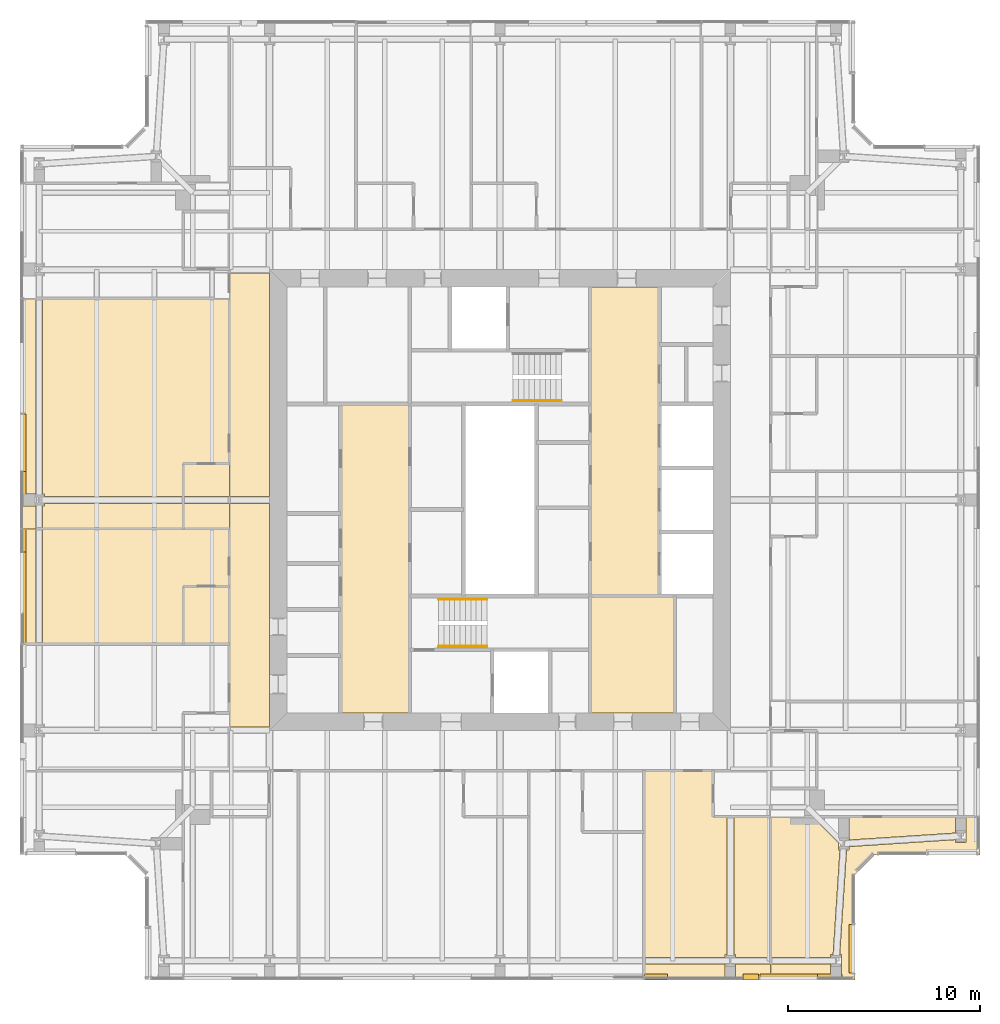
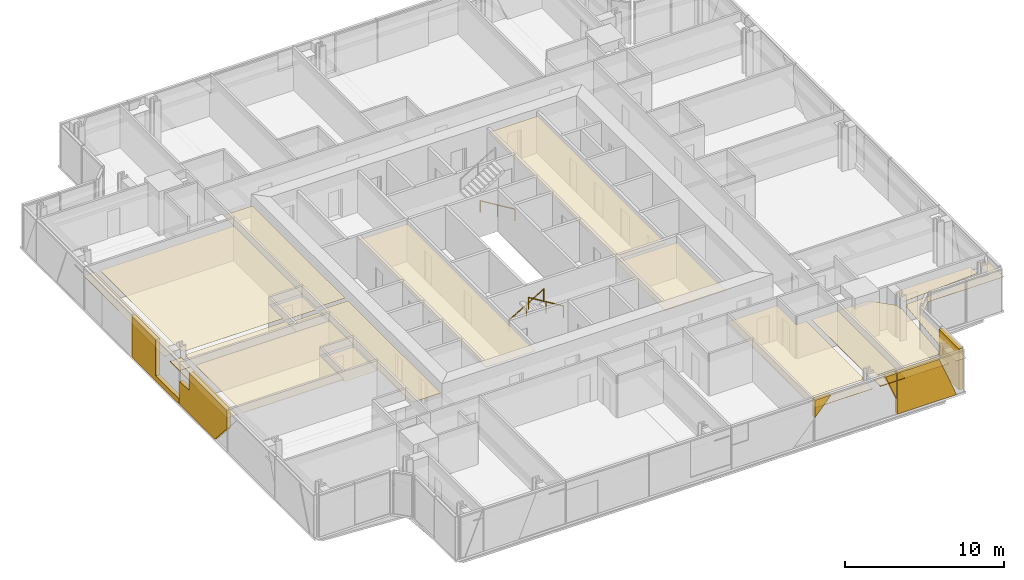
# One storey, part 17 of 20: 28 coverings, 3 railings.
"""IFC4 building model written with IfcOpenShell, lengths in metres."""

from ifc_helpers import new_model, si_unit, direction, frame, origin, origin_2d, place, context, subcontext, project, spatial, polyline, circle, outline, extrude, material, layer, layer_set, type_object, element, save


model = new_model("IFC4")

# Units and contexts
model_context = context("Model", 3, precision=1e-05, world=origin(), true_north=direction((0.0, 1.0)))
body_context = subcontext(model_context, "Body", "Model", "MODEL_VIEW")
ifc_project = project(units=[si_unit("LENGTHUNIT", "METRE"), si_unit("AREAUNIT", "SQUARE_METRE"), si_unit("VOLUMEUNIT", "CUBIC_METRE"), si_unit("PLANEANGLEUNIT", "RADIAN"), si_unit("MASSUNIT", "GRAM", prefix="KILO")], contexts=[model_context])

# Site, building, storey
site_placement = place(None, origin())
site = spatial("IfcSite", under=ifc_project, at=site_placement, CompositionType="ELEMENT")
building_placement = place(site_placement, origin())
building = spatial("IfcBuilding", under=site, at=building_placement, Name="Fenwick Lantern Interchange", CompositionType="ELEMENT")
storey_placement = place(building_placement, frame((0.0, 0.0, 259.39990234375)))
storey = spatial("IfcBuildingStorey", under=building, at=storey_placement, Name="L61", CompositionType="ELEMENT", Elevation=259.39990234375)

# Coverings
ifc_material_1 = material(Name="Granite cladding, warm grey flamed finish, on aluminium carrier frame", Category="masonry")
ifc_layer_1 = layer(ifc_material_1, 0.300048828125)
ifc_layer_set_1 = layer_set([ifc_layer_1], Name="BRACE CASING PANEL 300")
covering_type_1 = type_object("IfcCoveringType", Name="BRACE CASING PANEL 300", PredefinedType="CLADDING", material=ifc_layer_set_1)
covering_1_placement = place(storey_placement, frame((6.60009765625, 0.10009765625, 1.8076171875), z_axis=(0.0, 0.0, 1.0), x_axis=(1.0, 0.0, 0.0)))
element("IfcCovering", 1, at=covering_1_placement, inside=storey, type_object=covering_type_1, Name="Brace casing 01 bay 05a", PredefinedType="CLADDING", context=body_context, shape_type="SweptSolid", body=[
    extrude(outline(polyline([(25.929931640625, 0.0), (27.114501953125, 1.342529296875), (25.929931640625, 1.342529296875), (25.929931640625, 0.0)])), frame((0.0, 0.2099609375, 0.0), z_axis=(0.0, -1.0, 0.0), x_axis=(1.0, 0.0, 0.0)), (0.0, 0.0, 1.0), 0.300048828125),
])
covering_2_placement = place(storey_placement, frame((6.60009765625, 0.10009765625, 1.158203125), z_axis=(0.0, 0.0, 1.0), x_axis=(1.0, 0.0, 0.0)))
element("IfcCovering", 2, at=covering_2_placement, inside=storey, type_object=covering_type_1, Name="Brace casing 01 bay 05b", PredefinedType="CLADDING", context=body_context, shape_type="SweptSolid", body=[
    extrude(outline(polyline([(31.8701171875, 0.0), (31.8701171875, 1.991943359375), (31.064453125, 1.991943359375), (31.8701171875, 0.0)])), frame((0.0, 0.2099609375, 0.0), z_axis=(0.0, -1.0, 0.0), x_axis=(1.0, 0.0, 0.0)), (0.0, 0.0, 1.0), 0.300048828125),
])
covering_3_placement = place(storey_placement, frame((6.60009765625, 0.10009765625, 0.0), z_axis=(0.0, 0.0, 1.0), x_axis=(1.0, 0.0, 0.0)))
element("IfcCovering", 3, at=covering_3_placement, inside=storey, type_object=covering_type_1, Name="Brace casing 01 bay 06a", PredefinedType="CLADDING", context=body_context, shape_type="SweptSolid", body=[
    extrude(outline(polyline([(31.929931640625, 0.0), (36.221435546875, 0.0), (34.94775390625, 3.150146484375), (31.929931640625, 3.150146484375), (31.929931640625, 0.0)])), frame((0.0, 0.2099609375, 0.0), z_axis=(0.0, -1.0, 0.0), x_axis=(1.0, 0.0, 0.0)), (0.0, 0.0, 1.0), 0.300048828125),
])
covering_4_placement = place(storey_placement, frame((43.39990234375, 0.10009765625, 0.0), z_axis=(0.0, 0.0, 1.0), x_axis=(0.0, 1.0, 0.0)))
element("IfcCovering", 4, at=covering_4_placement, inside=storey, type_object=covering_type_1, Name="Brace casing 02 bay 00a", PredefinedType="CLADDING", context=body_context, shape_type="SweptSolid", body=[
    extrude(outline(polyline([(0.260009765625, 0.0), (2.790771484375, 0.0), (2.790771484375, 3.150146484375), (0.260009765625, 3.150146484375), (0.260009765625, 0.0)])), frame((0.0, 0.2099609375, 0.0), z_axis=(0.0, -1.0, 0.0), x_axis=(1.0, 0.0, 0.0)), (0.0, 0.0, 1.0), 0.300048828125),
])
covering_5_placement = place(storey_placement, frame((0.10009765625, 43.39990234375, 0.0), z_axis=(0.0, 0.0, 1.0), x_axis=(0.0, -1.0, 0.0)))
element("IfcCovering", 5, at=covering_5_placement, inside=storey, type_object=covering_type_1, Name="Brace casing 13 bay 03a", PredefinedType="CLADDING", context=body_context, shape_type="SweptSolid", body=[
    extrude(outline(polyline([(13.929931640625, 0.0), (19.8701171875, 0.0), (19.8701171875, 0.384765625), (16.92626953125, 0.384765625), (16.92626953125, 3.150146484375), (13.929931640625, 3.150146484375), (13.929931640625, 0.0)])), frame((0.0, 0.2099609375, 0.0), z_axis=(0.0, -1.0, 0.0), x_axis=(1.0, 0.0, 0.0)), (0.0, 0.0, 1.0), 0.300048828125),
])
covering_6_placement = place(storey_placement, frame((0.10009765625, 43.39990234375, 0.0), z_axis=(0.0, 0.0, 1.0), x_axis=(0.0, -1.0, 0.0)))
element("IfcCovering", 6, at=covering_6_placement, inside=storey, type_object=covering_type_1, Name="Brace casing 13 bay 04a", PredefinedType="CLADDING", context=body_context, shape_type="SweptSolid", body=[
    extrude(outline(polyline([(19.929931640625, 0.0), (24.335205078125, 0.0), (25.8701171875, 1.739501953125), (25.8701171875, 3.150146484375), (21.1201171875, 3.150146484375), (21.1201171875, 1.79736328125), (19.929931640625, 1.79736328125), (19.929931640625, 0.0)])), frame((0.0, 0.2099609375, 0.0), z_axis=(0.0, -1.0, 0.0), x_axis=(1.0, 0.0, 0.0)), (0.0, 0.0, 1.0), 0.300048828125),
])

# Railings
ifc_material_2 = material(Name="Stainless steel handrail", Category="steel")
railing_type = type_object("IfcRailingType", Name="HANDRAIL 900", PredefinedType="HANDRAIL", material=ifc_material_2)
railing_placement = place(storey_placement, frame((21.800048828125, 19.825927734375, 0.170166015625)))
element("IfcRailing", 7, at=railing_placement, inside=storey, type_object=railing_type, Name="L61/STAIR/ST1/HR1", PredefinedType="HANDRAIL", context=body_context, shape_type="SweptSolid", body=[
    extrude(circle(Radius=0.02392578125, at=origin_2d()), frame((0.0, 0.0, 0.8759765625), z_axis=(0.85478489116, 0.0, 0.518982456201), x_axis=(0.0, 1.0, 0.0)), (0.0, 0.0, 1.0), 2.9482421875),
    extrude(circle(Radius=0.02099609375, at=origin_2d()), origin(), (0.0, 0.0, 1.0), 0.851806640625),
    extrude(circle(Radius=0.02099609375, at=origin_2d()), frame((1.260009765625, 0.0, 0.76513671875)), (0.0, 0.0, 1.0), 0.851806640625),
    extrude(circle(Radius=0.02099609375, at=origin_2d()), frame((2.52001953125, 0.0, 1.530029296875)), (0.0, 0.0, 1.0), 0.851806640625),
])
for number, where, name in (
    (8, (24.320068359375, 17.3740234375, 1.8701171875), "L61/STAIR/ST1/HR2"),
    (9, (28.199951171875, 30.174072265625, 0.170166015625), "L61/STAIR/ST2/HR1"),
):
    element("IfcRailing", number, at=place(storey_placement, frame(where)), inside=storey, type_object=railing_type, Name=name, PredefinedType="HANDRAIL", context=body_context, shape_type="SweptSolid", body=[
        extrude(circle(Radius=0.02392578125, at=origin_2d()), frame((0.0, 0.0, 0.8759765625), z_axis=(-0.85478489116, 0.0, 0.518982456201), x_axis=(0.0, -1.0, 0.0)), (0.0, 0.0, 1.0), 2.9482421875),
        extrude(circle(Radius=0.02099609375, at=origin_2d()), origin(), (0.0, 0.0, 1.0), 0.851806640625),
        extrude(circle(Radius=0.02099609375, at=origin_2d()), frame((-1.260009765625, 0.0, 0.76513671875)), (0.0, 0.0, 1.0), 0.851806640625),
        extrude(circle(Radius=0.02099609375, at=origin_2d()), frame((-2.52001953125, 0.0, 1.530029296875)), (0.0, 0.0, 1.0), 0.851806640625),
    ])

# Coverings
ifc_material_3 = material(Name="Moisture resistant gypsum board on suspended frame, painted")
ifc_layer_2 = layer(ifc_material_3, 0.014892578125)
ifc_layer_set_2 = layer_set([ifc_layer_2], Name="MOISTURE RESISTANT CEILING 15")
covering_type_2 = type_object("IfcCoveringType", Name="MOISTURE RESISTANT CEILING 15", PredefinedType="CEILING", material=ifc_layer_set_2)
covering_7_placement = place(storey_placement, frame((0.0, 0.0, 2.60009765625)))
element("IfcCovering", 10, at=covering_7_placement, inside=storey, type_object=covering_type_2, Name="Women's WC ceiling", PredefinedType="CEILING", context=body_context, shape_type="SweptSolid", body=[
    extrude(outline(polyline([(29.699951171875, 13.89990234375), (34.10009765625, 13.89990234375), (34.10009765625, 20.0), (29.699951171875, 20.0), (29.699951171875, 13.89990234375)])), origin(), (0.0, 0.0, 1.0), 0.014892578125),
])
covering_8_placement = place(storey_placement, frame((0.0, 0.0, 2.400146484375)))
element("IfcCovering", 11, at=covering_8_placement, inside=storey, type_object=covering_type_2, Name="En-suite 6114 ceiling", PredefinedType="CEILING", context=body_context, shape_type="SweptSolid", body=[
    extrude(outline(polyline([(8.5, 26.89990234375), (8.5, 25.175048828125), (10.89990234375, 25.175048828125), (10.89990234375, 26.89990234375), (8.5, 26.89990234375)])), origin(), (0.0, 0.0, 1.0), 0.014892578125),
])
covering_9_placement = place(storey_placement, frame((0.0, 0.0, 2.400146484375)))
element("IfcCovering", 12, at=covering_9_placement, inside=storey, type_object=covering_type_2, Name="En-suite 6114 ceiling", PredefinedType="CEILING", context=body_context, shape_type="SweptSolid", body=[
    extrude(outline(polyline([(10.89990234375, 23.5), (10.89990234375, 24.824951171875), (8.5, 24.824951171875), (8.5, 23.5), (10.89990234375, 23.5)])), origin(), (0.0, 0.0, 1.0), 0.014892578125),
])
covering_10_placement = place(storey_placement, frame((0.0, 0.0, 2.400146484375)))
element("IfcCovering", 13, at=covering_10_placement, inside=storey, type_object=covering_type_2, Name="En-suite 6115 ceiling", PredefinedType="CEILING", context=body_context, shape_type="SweptSolid", body=[
    extrude(outline(polyline([(8.5, 20.5), (8.5, 17.5), (10.89990234375, 17.5), (10.89990234375, 20.5), (8.5, 20.5)])), origin(), (0.0, 0.0, 1.0), 0.014892578125),
])
ifc_material_4 = material(Name="Gypsum plasterboard on suspended frame, painted")
ifc_layer_3 = layer(ifc_material_4, 0.014892578125)
ifc_layer_set_3 = layer_set([ifc_layer_3], Name="PLASTERBOARD CEILING 15")
covering_type_3 = type_object("IfcCoveringType", Name="PLASTERBOARD CEILING 15", PredefinedType="CEILING", material=ifc_layer_set_3)
covering_11_placement = place(storey_placement, frame((0.0, 0.0, 2.800048828125)))
element("IfcCovering", 14, at=covering_11_placement, inside=storey, type_object=covering_type_3, Name="Lift lobby ceiling", PredefinedType="CEILING", context=body_context, shape_type="SweptSolid", body=[
    extrude(outline(polyline([(16.699951171875, 13.89990234375), (20.300048828125, 13.89990234375), (20.300048828125, 30.0), (16.699951171875, 30.0), (16.699951171875, 13.89990234375)])), origin(), (0.0, 0.0, 1.0), 0.01513671875),
])
covering_12_placement = place(storey_placement, frame((0.0, 0.0, 2.800048828125)))
element("IfcCovering", 15, at=covering_12_placement, inside=storey, type_object=covering_type_3, Name="Lift lobby ceiling", PredefinedType="CEILING", context=body_context, shape_type="SweptSolid", body=[
    extrude(outline(polyline([(33.300048828125, 36.10009765625), (29.699951171875, 36.10009765625), (29.699951171875, 20.0), (33.300048828125, 20.0), (33.300048828125, 36.10009765625)])), origin(), (0.0, 0.0, 1.0), 0.01513671875),
])
covering_13_placement = place(storey_placement, frame((0.0, 0.0, 2.572998046875)))
element("IfcCovering", 16, at=covering_13_placement, inside=storey, type_object=covering_type_3, Name="Corridor ceiling", PredefinedType="CEILING", context=body_context, shape_type="SweptSolid", body=[
    extrude(outline(polyline([(10.89990234375, 36.833984375), (10.89990234375, 25.175048828125), (13.0, 25.175048828125), (13.0, 36.833984375), (10.89990234375, 36.833984375)])), origin(), (0.0, 0.0, 1.0), 0.014892578125),
])
covering_14_placement = place(storey_placement, frame((0.0, 0.0, 2.572998046875)))
element("IfcCovering", 17, at=covering_14_placement, inside=storey, type_object=covering_type_3, Name="Corridor ceiling", PredefinedType="CEILING", context=body_context, shape_type="SweptSolid", body=[
    extrude(outline(polyline([(10.89990234375, 24.824951171875), (10.89990234375, 13.166015625), (13.0, 13.166015625), (13.0, 24.824951171875), (10.89990234375, 24.824951171875)])), origin(), (0.0, 0.0, 1.0), 0.014892578125),
])
covering_15_placement = place(storey_placement, frame((0.0, 0.0, 2.572998046875)))
element("IfcCovering", 18, at=covering_15_placement, inside=storey, type_object=covering_type_3, Name="Guest room 6104 ceiling", PredefinedType="CEILING", context=body_context, shape_type="SweptSolid", body=[
    extrude(outline(polyline([(36.72265625, 1.33447265625), (36.816162109375, 1.33447265625), (36.816162109375, 8.5), (36.10009765625, 8.5), (36.10009765625, 10.89990234375), (32.5, 10.89990234375), (32.5, 1.17236328125), (36.72265625, 1.17236328125), (36.72265625, 1.33447265625)])), origin(), (0.0, 0.0, 1.0), 0.014892578125),
])
covering_16_placement = place(storey_placement, frame((0.0, 0.0, 2.572998046875)))
element("IfcCovering", 19, at=covering_16_placement, inside=storey, type_object=covering_type_3, Name="Guest room 6104 ceiling", PredefinedType="CEILING", context=body_context, shape_type="SweptSolid", body=[
    extrude(outline(polyline([(37.27734375, 1.33447265625), (37.27734375, 1.17236328125), (39.10009765625, 1.17236328125), (39.10009765625, 8.5), (37.183837890625, 8.5), (37.183837890625, 1.33447265625), (37.27734375, 1.33447265625)])), origin(), (0.0, 0.0, 1.0), 0.014892578125),
])
covering_17_placement = place(storey_placement, frame((0.0, 0.0, 2.572998046875)))
element("IfcCovering", 20, at=covering_17_placement, inside=storey, type_object=covering_type_3, Name="Guest room 6104 ceiling", PredefinedType="CEILING", context=body_context, shape_type="SweptSolid", body=[
    extrude(outline(polyline([(36.72265625, 0.0), (36.72265625, 0.82763671875), (32.5, 0.82763671875), (32.5, 0.0), (36.72265625, 0.0)])), origin(), (0.0, 0.0, 1.0), 0.014892578125),
])
covering_18_placement = place(storey_placement, frame((0.0, 0.0, 2.572998046875)))
element("IfcCovering", 21, at=covering_18_placement, inside=storey, type_object=covering_type_3, Name="Guest room 6104 ceiling", PredefinedType="CEILING", context=body_context, shape_type="SweptSolid", body=[
    extrude(outline(polyline([(37.27734375, 0.82763671875), (37.27734375, 0.0), (39.10009765625, 0.0), (39.10009765625, 0.82763671875), (37.27734375, 0.82763671875)])), origin(), (0.0, 0.0, 1.0), 0.014892578125),
])
covering_19_placement = place(storey_placement, frame((0.0, 0.0, 2.572998046875)))
element("IfcCovering", 22, at=covering_19_placement, inside=storey, type_object=covering_type_3, Name="Guest suite 6105 sitting room ceiling", PredefinedType="CEILING", context=body_context, shape_type="SweptSolid", body=[
    extrude(outline(polyline([(42.22265625, 1.33447265625), (42.34912109375, 1.33447265625), (42.705322265625, 6.765625), (42.62255859375, 6.765625), (42.62255859375, 7.160400390625), (41.283203125, 8.5), (39.10009765625, 8.5), (39.10009765625, 1.17236328125), (42.22265625, 1.17236328125), (42.22265625, 1.33447265625)])), origin(), (0.0, 0.0, 1.0), 0.014892578125),
])
covering_20_placement = place(storey_placement, frame((0.0, 0.0, 2.572998046875)))
element("IfcCovering", 23, at=covering_20_placement, inside=storey, type_object=covering_type_3, Name="Guest suite 6105 sitting room ceiling", PredefinedType="CEILING", context=body_context, shape_type="SweptSolid", body=[
    extrude(outline(polyline([(42.77734375, 1.33447265625), (42.77734375, 0.0), (43.5, 0.0), (43.5, 5.5), (44.5, 6.5), (50.0, 6.5), (50.0, 8.5), (49.27734375, 8.5), (49.27734375, 7.16552734375), (48.72265625, 7.16552734375), (48.72265625, 7.30908203125), (43.17724609375, 6.9453125), (43.17724609375, 6.765625), (43.05078125, 6.765625), (42.69482421875, 1.33447265625), (42.77734375, 1.33447265625)])), origin(), (0.0, 0.0, 1.0), 0.014892578125),
])
covering_21_placement = place(storey_placement, frame((0.0, 0.0, 2.572998046875)))
element("IfcCovering", 24, at=covering_21_placement, inside=storey, type_object=covering_type_3, Name="Guest suite 6105 sitting room ceiling", PredefinedType="CEILING", context=body_context, shape_type="SweptSolid", body=[
    extrude(outline(polyline([(43.17724609375, 8.5), (43.17724609375, 7.291015625), (48.72265625, 7.654541015625), (48.72265625, 8.5), (43.17724609375, 8.5)])), origin(), (0.0, 0.0, 1.0), 0.014892578125),
])
covering_22_placement = place(storey_placement, frame((0.0, 0.0, 2.572998046875)))
element("IfcCovering", 25, at=covering_22_placement, inside=storey, type_object=covering_type_3, Name="Guest suite 6105 sitting room ceiling", PredefinedType="CEILING", context=body_context, shape_type="SweptSolid", body=[
    extrude(outline(polyline([(42.22265625, 0.0), (42.22265625, 0.82763671875), (39.10009765625, 0.82763671875), (39.10009765625, 0.0), (42.22265625, 0.0)])), origin(), (0.0, 0.0, 1.0), 0.014892578125),
])
covering_23_placement = place(storey_placement, frame((0.0, 0.0, 2.572998046875)))
element("IfcCovering", 26, at=covering_23_placement, inside=storey, type_object=covering_type_3, Name="Guest suite 6114 ceiling", PredefinedType="CEILING", context=body_context, shape_type="SweptSolid", body=[
    extrude(outline(polyline([(1.27099609375, 25.3154296875), (1.27099609375, 25.175048828125), (8.5, 25.175048828125), (8.5, 26.89990234375), (10.89990234375, 26.89990234375), (10.89990234375, 35.5), (1.17236328125, 35.5), (1.17236328125, 25.3154296875), (1.27099609375, 25.3154296875)])), origin(), (0.0, 0.0, 1.0), 0.014892578125),
])
covering_24_placement = place(storey_placement, frame((0.0, 0.0, 2.572998046875)))
element("IfcCovering", 27, at=covering_24_placement, inside=storey, type_object=covering_type_3, Name="Guest suite 6114 ceiling", PredefinedType="CEILING", context=body_context, shape_type="SweptSolid", body=[
    extrude(outline(polyline([(1.27099609375, 24.6845703125), (1.17236328125, 24.6845703125), (1.17236328125, 23.5), (8.5, 23.5), (8.5, 24.824951171875), (1.27099609375, 24.824951171875), (1.27099609375, 24.6845703125)])), origin(), (0.0, 0.0, 1.0), 0.014892578125),
])
covering_25_placement = place(storey_placement, frame((0.0, 0.0, 2.572998046875)))
element("IfcCovering", 28, at=covering_25_placement, inside=storey, type_object=covering_type_3, Name="Guest suite 6114 ceiling", PredefinedType="CEILING", context=body_context, shape_type="SweptSolid", body=[
    extrude(outline(polyline([(0.0, 25.3154296875), (0.82763671875, 25.3154296875), (0.82763671875, 35.5), (0.0, 35.5), (0.0, 25.3154296875)])), origin(), (0.0, 0.0, 1.0), 0.014892578125),
])
covering_26_placement = place(storey_placement, frame((0.0, 0.0, 2.572998046875)))
element("IfcCovering", 29, at=covering_26_placement, inside=storey, type_object=covering_type_3, Name="Guest suite 6114 ceiling", PredefinedType="CEILING", context=body_context, shape_type="SweptSolid", body=[
    extrude(outline(polyline([(0.82763671875, 24.6845703125), (0.0, 24.6845703125), (0.0, 23.5), (0.82763671875, 23.5), (0.82763671875, 24.6845703125)])), origin(), (0.0, 0.0, 1.0), 0.014892578125),
])
covering_27_placement = place(storey_placement, frame((0.0, 0.0, 2.572998046875)))
element("IfcCovering", 30, at=covering_27_placement, inside=storey, type_object=covering_type_3, Name="Guest room 6115 ceiling", PredefinedType="CEILING", context=body_context, shape_type="SweptSolid", body=[
    extrude(outline(polyline([(10.89990234375, 23.5), (1.17236328125, 23.5), (1.17236328125, 17.5), (8.5, 17.5), (8.5, 20.5), (10.89990234375, 20.5), (10.89990234375, 23.5)])), origin(), (0.0, 0.0, 1.0), 0.014892578125),
])
covering_28_placement = place(storey_placement, frame((0.0, 0.0, 2.572998046875)))
element("IfcCovering", 31, at=covering_28_placement, inside=storey, type_object=covering_type_3, Name="Guest room 6115 ceiling", PredefinedType="CEILING", context=body_context, shape_type="SweptSolid", body=[
    extrude(outline(polyline([(0.0, 23.5), (0.0, 17.5), (0.82763671875, 17.5), (0.82763671875, 23.5), (0.0, 23.5)])), origin(), (0.0, 0.0, 1.0), 0.014892578125),
])

save(model, "model.ifc")
